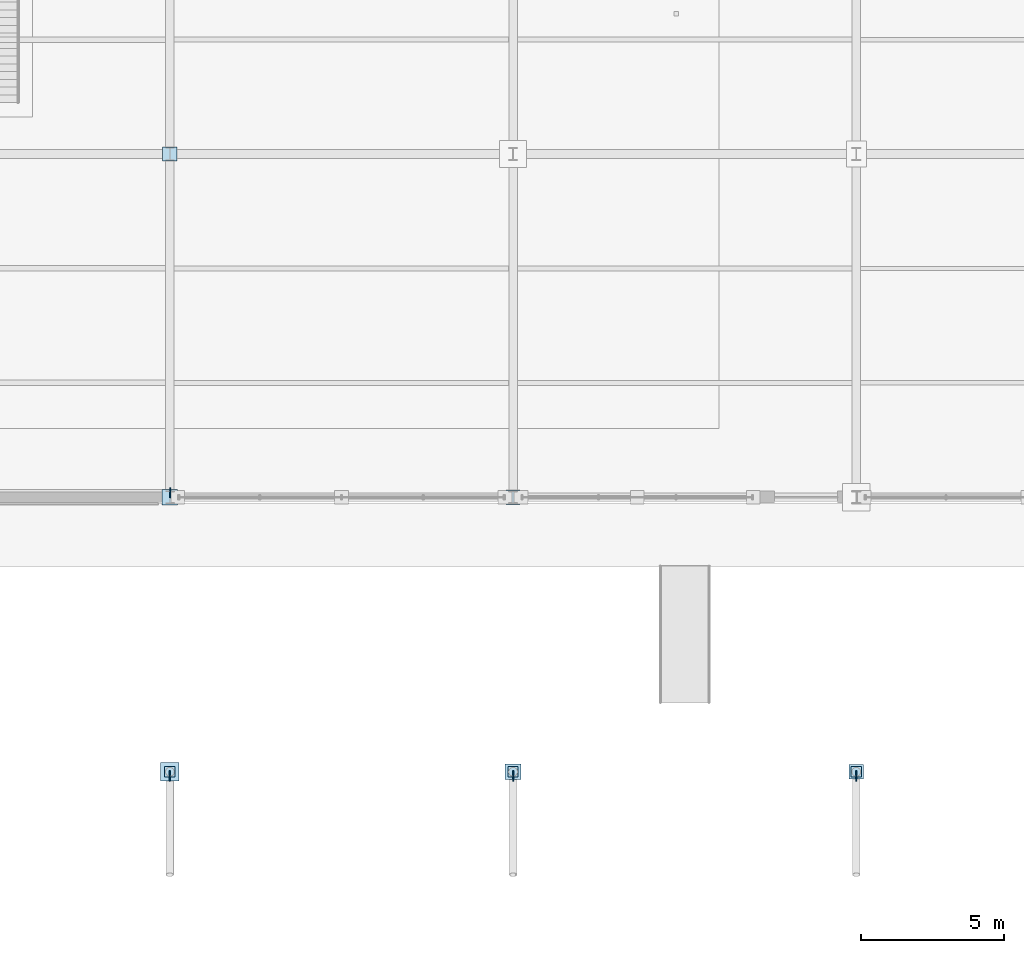
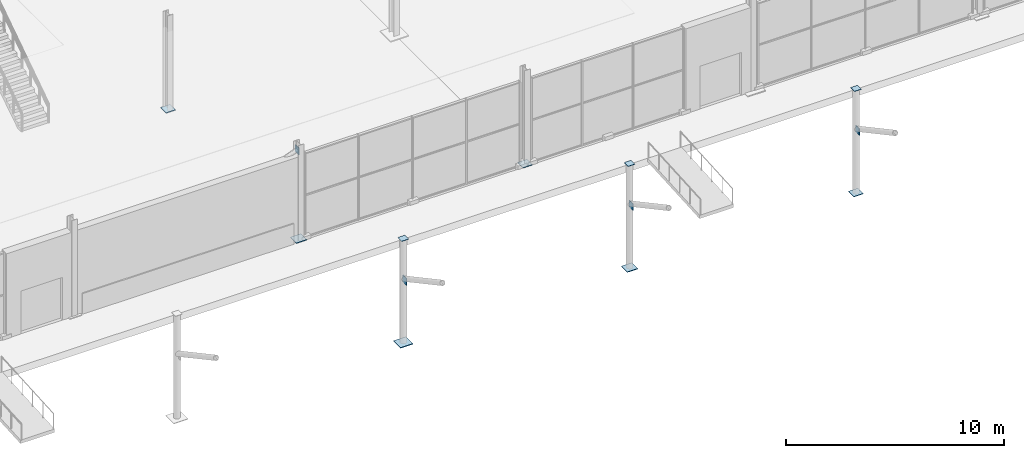
# One storey, part 158 of 196: 13 plates.
"""IFC4 building model written with IfcOpenShell, lengths in metres."""

from ifc_helpers import new_model, si_unit, direction, frame, origin, origin_2d, place, context, subcontext, project, spatial, rectangle, extrude, material, layer, layer_set, type_object, element, save


model = new_model("IFC4")

# Units and contexts
model_context = context("Model", 3, precision=1e-05, world=origin(), true_north=direction((0.0, 1.0)))
body_context = subcontext(model_context, "Body", "Model", "MODEL_VIEW")
ifc_project = project(units=[si_unit("LENGTHUNIT", "METRE"), si_unit("AREAUNIT", "SQUARE_METRE"), si_unit("VOLUMEUNIT", "CUBIC_METRE"), si_unit("PLANEANGLEUNIT", "RADIAN"), si_unit("MASSUNIT", "GRAM", prefix="KILO")], contexts=[model_context])

# Site, building, storey
site_placement = place(None, origin())
site = spatial("IfcSite", under=ifc_project, at=site_placement, CompositionType="ELEMENT")
building_placement = place(site_placement, origin())
building = spatial("IfcBuilding", under=site, at=building_placement, Name="Merenkruunu Market Hall", CompositionType="ELEMENT")
storey_placement = place(building_placement, origin())
storey = spatial("IfcBuildingStorey", under=building, at=storey_placement, Name="L00", CompositionType="ELEMENT", Elevation=0.0)

# Plates
ifc_material = material(Name="Steel S355ML", Category="steel")
ifc_layer_1 = layer(ifc_material, 0.034912109375)
ifc_layer_set_1 = layer_set([ifc_layer_1], Name="Steel S355ML")
plate_type_1 = type_object("IfcPlateType", Name="Column Base Plate BP03", PredefinedType="USERDEFINED", material=ifc_layer_set_1)
plate_placement = place(storey_placement, frame((100.800048828125, 6.0, 0.0), z_axis=(0.0, 0.0, 1.0), x_axis=(1.0, 0.0, 0.0)))
element("IfcPlate", 1, at=plate_placement, inside=storey, type_object=plate_type_1, Name="PLT-BP-L-02", ObjectType="BASE_PLATE", PredefinedType="USERDEFINED", context=body_context, shape_type="SweptSolid", body=[
    extrude(rectangle(XDim=0.64990234375, YDim=0.64990234375, at=origin_2d()), origin(), (0.0, 0.0, 1.0), 0.034912109375),
])
ifc_layer_2 = layer(ifc_material, 0.030029296875)
ifc_layer_set_2 = layer_set([ifc_layer_2], Name="Steel S355ML")
plate_type_2 = type_object("IfcPlateType", Name="Column Base Plate BP04", PredefinedType="USERDEFINED", material=ifc_layer_set_2)
for number, where, z_axis, x_axis, name in (
    (2, (100.800048828125, 15.60009765625, 0.0), (0.0, 0.0, 1.0), (1.0, 0.0, 0.0), "PLT-BP-L-03"),
    (3, (112.800048828125, 6.0, 0.0), (0.0, 0.0, 1.0), (1.0, 0.0, 0.0), "PLT-BP-M-02"),
):
    element("IfcPlate", number, at=place(storey_placement, frame(where, z_axis=z_axis, x_axis=x_axis)), inside=storey, type_object=plate_type_2, Name=name, ObjectType="BASE_PLATE", PredefinedType="USERDEFINED", context=body_context, shape_type="SweptSolid", body=[
        extrude(rectangle(XDim=0.550048828125, YDim=0.550048828125, at=origin_2d()), origin(), (0.0, 0.0, 1.0), 0.030029296875),
    ])
ifc_layer_3 = layer(ifc_material, 0.028076171875)
ifc_layer_set_3 = layer_set([ifc_layer_3], Name="Steel S355ML")
plate_type_3 = type_object("IfcPlateType", Name="Column Base Plate BP05", PredefinedType="USERDEFINED", material=ifc_layer_set_3)
for number, where, z_axis, x_axis, name in (
    (4, (100.800048828125, 27.60009765625, 0.0), (0.0, 0.0, 1.0), (1.0, 0.0, 0.0), "PLT-BP-L-04"),
    (5, (112.800048828125, 15.60009765625, 0.0), (0.0, 0.0, 1.0), (1.0, 0.0, 0.0), "PLT-BP-M-03"),
    (6, (124.800048828125, 6.0, 0.0), (0.0, 0.0, 1.0), (1.0, 0.0, 0.0), "PLT-BP-N-02"),
):
    element("IfcPlate", number, at=place(storey_placement, frame(where, z_axis=z_axis, x_axis=x_axis)), inside=storey, type_object=plate_type_3, Name=name, ObjectType="BASE_PLATE", PredefinedType="USERDEFINED", context=body_context, shape_type="SweptSolid", body=[
        extrude(rectangle(XDim=0.5, YDim=0.5, at=origin_2d()), origin(), (0.0, 0.0, 1.0), 0.028076171875),
    ])
ifc_layer_4 = layer(ifc_material, 0.02001953125)
ifc_layer_set_4 = layer_set([ifc_layer_4], Name="Steel S355ML")
plate_type_4 = type_object("IfcPlateType", Name="Truss Gusset Or Cap Plate CP01", PredefinedType="USERDEFINED", material=ifc_layer_set_4)
for number, where, z_axis, x_axis, name in (
    (7, (100.800048828125, 6.0, 5.837890625), (0.0, 0.0, 1.0), (1.0, 0.0, 0.0), "PLT-CAP-051"),
    (8, (112.800048828125, 6.0, 5.837890625), (0.0, 0.0, 1.0), (1.0, 0.0, 0.0), "PLT-CAP-052"),
    (9, (124.800048828125, 6.0, 5.837890625), (0.0, 0.0, 1.0), (1.0, 0.0, 0.0), "PLT-CAP-053"),
):
    element("IfcPlate", number, at=place(storey_placement, frame(where, z_axis=z_axis, x_axis=x_axis)), inside=storey, type_object=plate_type_4, Name=name, ObjectType="GUSSET_PLATE", PredefinedType="USERDEFINED", context=body_context, shape_type="SweptSolid", body=[
        extrude(rectangle(XDim=0.360107421875, YDim=0.360107421875, at=origin_2d()), origin(), (0.0, 0.0, 1.0), 0.02001953125),
    ])
ifc_layer_5 = layer(ifc_material, 0.035888671875)
ifc_layer_set_5 = layer_set([ifc_layer_5], Name="Steel S355ML")
plate_type_5 = type_object("IfcPlateType", Name="Truss Gusset Or Cap Plate CP08", PredefinedType="USERDEFINED", material=ifc_layer_set_5)
for number, where, z_axis, x_axis, name in (
    (10, (100.800048828125, 5.85009765625, 3.41015625), (0.0, 0.0, 1.0), (1.0, 0.0, 0.0), "PLT-V6-STRUT-101-A"),
    (11, (112.800048828125, 5.85009765625, 3.41015625), (0.0, 0.0, 1.0), (1.0, 0.0, 0.0), "PLT-V6-STRUT-113-A"),
    (12, (124.800048828125, 5.85009765625, 3.41015625), (0.0, 0.0, 1.0), (1.0, 0.0, 0.0), "PLT-V6-STRUT-125-A"),
    (13, (100.818115234375, 15.760009765625, 4.7099609375), (0.0, 0.0, 1.0), (1.0, 0.0, 0.0), "PLT-CBF07-B"),
):
    element("IfcPlate", number, at=place(storey_placement, frame(where, z_axis=z_axis, x_axis=x_axis)), inside=storey, type_object=plate_type_5, Name=name, ObjectType="GUSSET_PLATE", PredefinedType="USERDEFINED", context=body_context, shape_type="SweptSolid", body=[
        extrude(rectangle(XDim=0.035888671875, YDim=0.360107421875, at=origin_2d()), origin(), (0.0, 0.0, 1.0), 0.3798828125),
    ])

save(model, "model.ifc")
